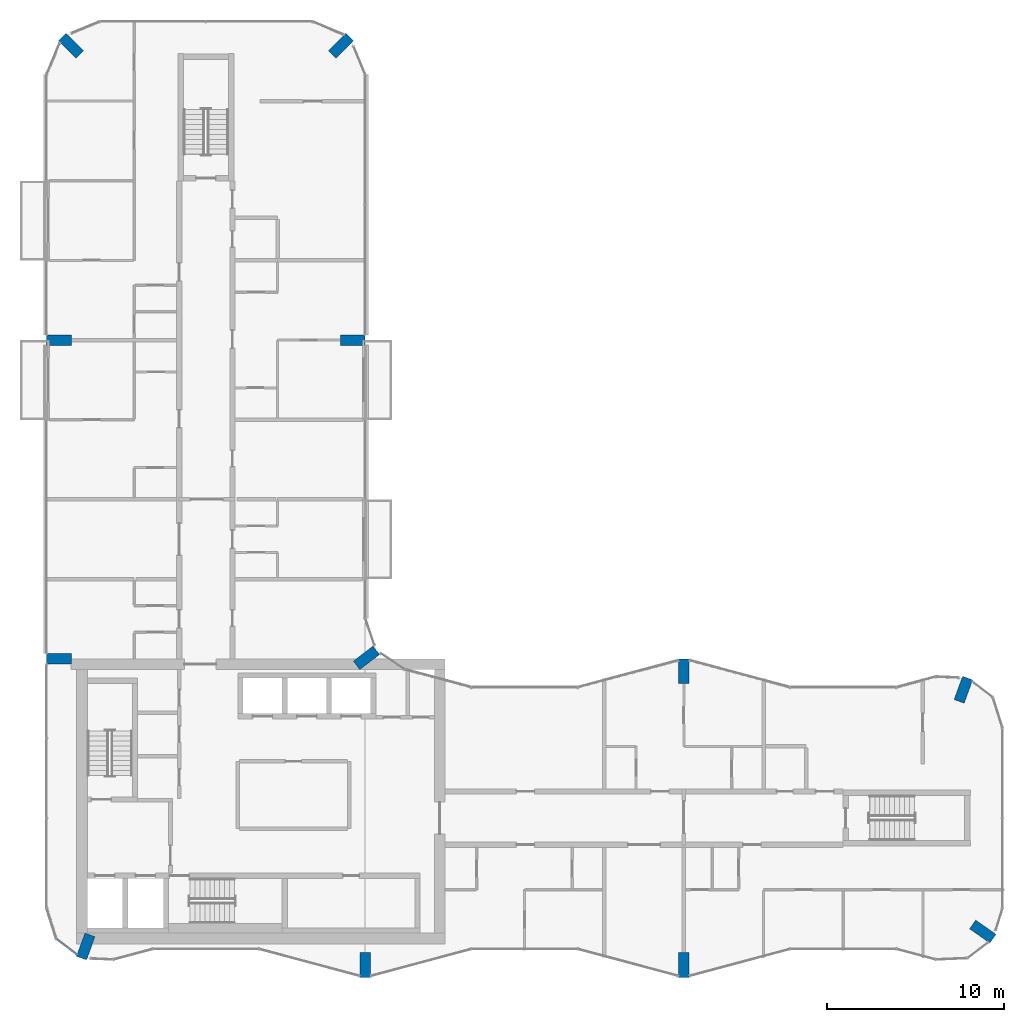
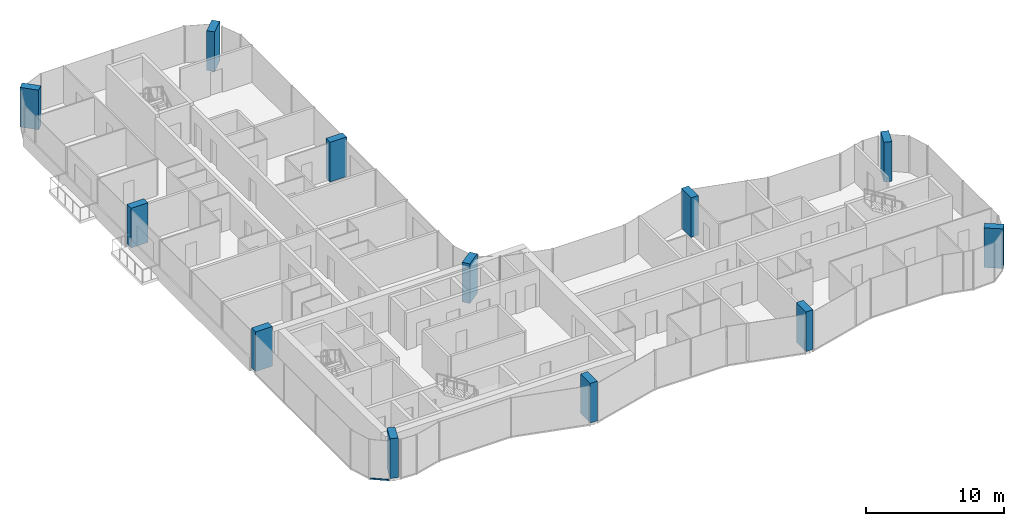
# One storey, part 1 of 15: 12 columns, 1 member, 1 element without a shape of its own.
"""IFC4 building model written with IfcOpenShell, lengths in metres."""

from ifc_helpers import new_model, si_unit, direction, frame, origin, origin_2d, place, context, subcontext, project, spatial, rectangle, extrude, material, layer, layer_set, material_profile, profile_set, type_object, element, aggregate, save


model = new_model("IFC4")

# Units and contexts
model_context = context("Model", 3, precision=1e-05, world=origin(), true_north=direction((0.0, 1.0)))
body_context = subcontext(model_context, "Body", "Model", "MODEL_VIEW")
ifc_project = project(units=[si_unit("LENGTHUNIT", "METRE"), si_unit("AREAUNIT", "SQUARE_METRE"), si_unit("VOLUMEUNIT", "CUBIC_METRE"), si_unit("PLANEANGLEUNIT", "RADIAN"), si_unit("MASSUNIT", "GRAM", prefix="KILO")], contexts=[model_context])

# Site, building, storey
site_placement = place(None, origin())
site = spatial("IfcSite", under=ifc_project, at=site_placement, CompositionType="ELEMENT")
building_placement = place(site_placement, origin())
building = spatial("IfcBuilding", under=site, at=building_placement, Name="Plateau Cross Towers", CompositionType="ELEMENT")
storey_placement = place(building_placement, frame((0.0, 0.0, 153.39990234375)))
storey = spatial("IfcBuildingStorey", under=building, at=storey_placement, Name="L39", CompositionType="ELEMENT", Elevation=153.39990234375)

# Columns
ifc_material_1 = material(Name="Concrete C60/75", Category="concrete")
ifc_material_profile_1 = material_profile(ifc_material_1, rectangle(XDim=0.60009765625, YDim=1.39990234375, at=origin_2d()), Name="RC 600x1400")
ifc_profile_set_1 = profile_set([ifc_material_profile_1], Name="Concrete C60/75")
column_type = type_object("IfcColumnType", Name="Fin pier column RC 600x1400", PredefinedType="COLUMN", material=ifc_profile_set_1)
for number, where, z_axis, x_axis, name in (
    (1, (18.0, 0.699951171875, 0.0), (0.0, 0.0, 1.0), (1.0, 0.0, 0.0), "PR1 L39"),
    (2, (36.0, 0.699951171875, 0.0), (0.0, 0.0, 1.0), (1.0, 0.0, 0.0), "PR2 L39"),
    (3, (52.884033203125, 2.590087890625, 0.0), (0.0, 0.0, 1.0), (0.573542637991, 0.819175709117, 0.0), "PR3 L39"),
    (4, (51.786865234375, 16.251953125, 0.0), (0.0, 0.0, 1.0), (-0.939664280925, 0.342097996418, 0.0), "PR4 L39"),
    (5, (36.0, 17.300048828125, 0.0), (0.0, 0.0, 1.0), (1.0, 0.0, 0.0), "PR5 L39"),
    (6, (18.064697265625, 18.049560546875, 0.0), (0.0, 0.0, 1.0), (-0.608810846443, 0.793315418515, 0.0), "PR6 L39"),
    (7, (17.300048828125, 36.0, 0.0), (0.0, 0.0, 1.0), (0.0, 1.0, 0.0), "PR7 L39"),
    (8, (16.62646484375, 52.62646484375, 0.0), (0.0, 0.0, 1.0), (-0.707106781187, 0.707106781187, 0.0), "PR8 L39"),
    (9, (1.37353515625, 52.62646484375, 0.0), (0.0, 0.0, 1.0), (0.707106781187, 0.707106781187, 0.0), "PR9 L39"),
    (10, (0.699951171875, 36.0, 0.0), (0.0, 0.0, 1.0), (0.0, 1.0, 0.0), "PR10 L39"),
    (11, (0.699951171875, 18.0, 0.0), (0.0, 0.0, 1.0), (0.0, 1.0, 0.0), "PR11 L39"),
    (12, (2.213134765625, 1.748046875, 0.0), (0.0, 0.0, 1.0), (-0.939664280925, 0.342097996418, 0.0), "PR12 L39"),
):
    element("IfcColumn", number, at=place(storey_placement, frame(where, z_axis=z_axis, x_axis=x_axis)), inside=storey, type_object=column_type, Name=name, PredefinedType="COLUMN", context=body_context, shape_type="SweptSolid", body=[
        extrude(rectangle(XDim=0.60009765625, YDim=1.39990234375, at=origin_2d()), origin(), (0.0, 0.0, 1.0), 3.5),
    ])

# Curtain wall, member
ifc_material_2 = material(Name="Dark low-iron glass", Category="glass")
ifc_layer = layer(ifc_material_2, 0.239990234375)
ifc_layer_set = layer_set([ifc_layer], Name="Dark low-iron glass")
curtain_wall_type = type_object("IfcCurtainWallType", Name="Curtain wall flush unitised CW-B", PredefinedType="NOTDEFINED", material=ifc_layer_set)
curtain_wall_placement = place(storey_placement, origin())
curtain_wall = element("IfcCurtainWall", 13, at=curtain_wall_placement, inside=storey, type_object=curtain_wall_type, Name="ENV/A/L39/A5_22", PredefinedType="NOTDEFINED")
ifc_material_3 = material(Name="Black anodised aluminium", Category="aluminium")
ifc_material_profile_2 = material_profile(ifc_material_3, rectangle(XDim=0.10009765625, YDim=0.1201171875, at=origin_2d()), Name="TRANSOM 100x120")
ifc_profile_set_2 = profile_set([ifc_material_profile_2], Name="Black anodised aluminium")
member_type = type_object("IfcMemberType", Name="Transom 100x120 flush unitised", PredefinedType="USERDEFINED", material=ifc_profile_set_2)
member_placement = place(storey_placement, frame((0.54248046875, 2.1884765625, -0.18994140625), z_axis=(0.793320508571, -0.608804213751, 0.0), x_axis=(0.608804213751, 0.793320508571, 0.0)))
member = element("IfcMember", 14, at=member_placement, type_object=member_type, Name="CW-B transom", ObjectType="TRANSOM", PredefinedType="USERDEFINED", context=body_context, shape_type="SweptSolid", body=[
    extrude(rectangle(XDim=0.10009765625, YDim=0.1201171875, at=origin_2d()), origin(), (0.0, 0.0, 1.0), 1.471435546875),
])
aggregate(curtain_wall, [member])

save(model, "model.ifc")
